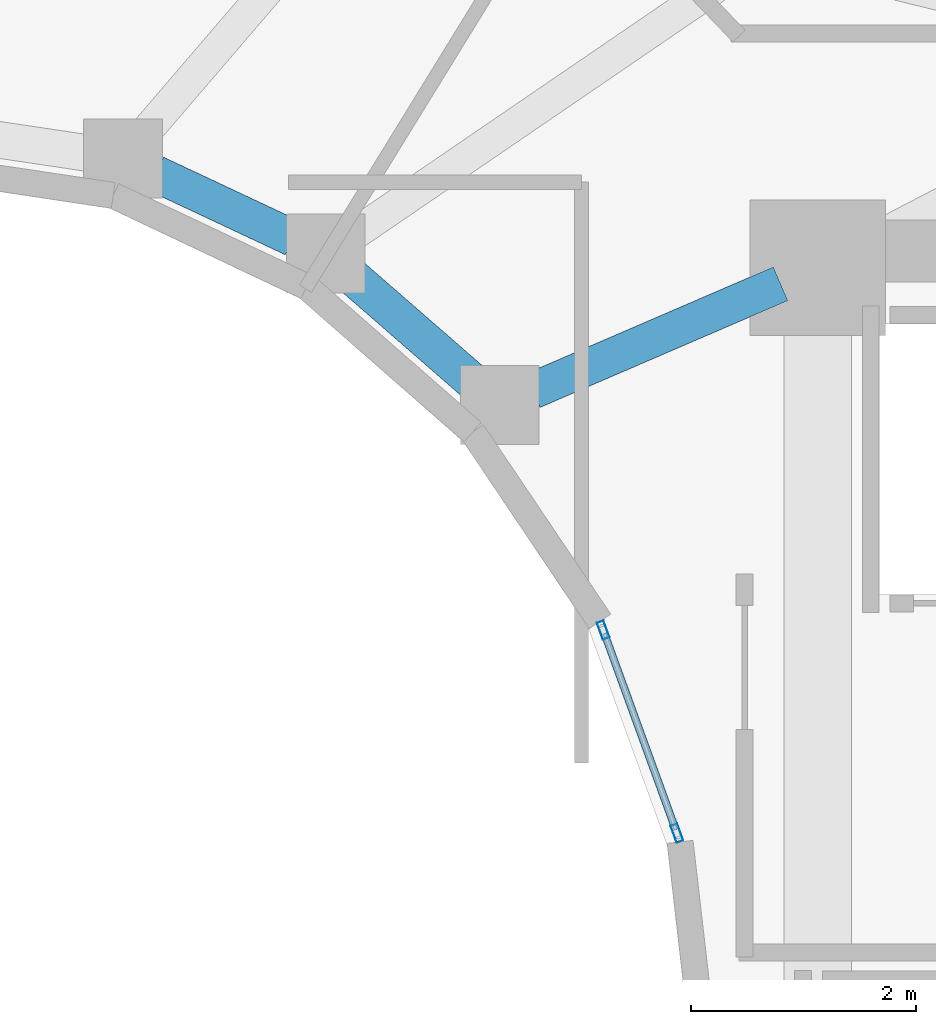
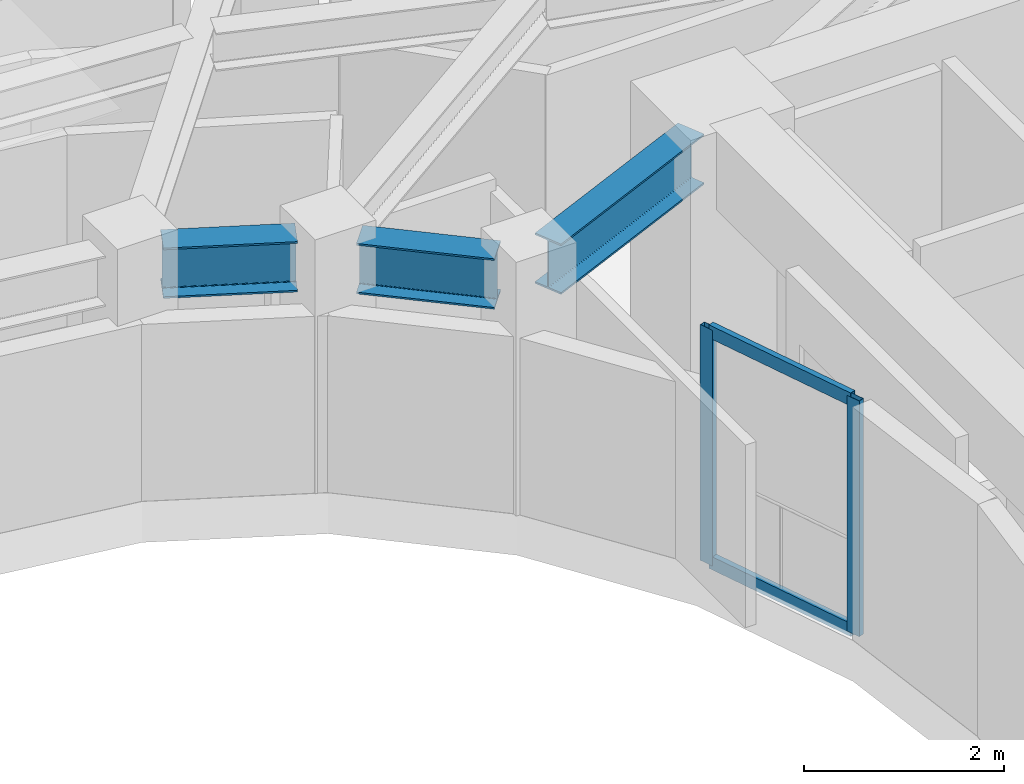
# One storey, part 7 of 19: 4 members, 3 beams, 1 element without a shape of its own.
"""IFC4 building model written with IfcOpenShell, lengths in metres."""

from ifc_helpers import new_model, si_unit, direction, frame, origin, origin_2d, place, context, subcontext, project, spatial, hollow_rectangle, i_section, extrude, material, layer, layer_set, material_profile, profile_set, type_object, element, aggregate, save


model = new_model("IFC4")

# Units and contexts
model_context = context("Model", 3, precision=1e-05, world=origin(), true_north=direction((0.0, 1.0)))
body_context = subcontext(model_context, "Body", "Model", "MODEL_VIEW")
ifc_project = project(units=[si_unit("LENGTHUNIT", "METRE"), si_unit("AREAUNIT", "SQUARE_METRE"), si_unit("VOLUMEUNIT", "CUBIC_METRE"), si_unit("PLANEANGLEUNIT", "RADIAN"), si_unit("MASSUNIT", "GRAM", prefix="KILO")], contexts=[model_context])

# Site, building, storey
site_placement = place(None, origin())
site = spatial("IfcSite", under=ifc_project, at=site_placement, CompositionType="ELEMENT")
building_placement = place(site_placement, origin())
building = spatial("IfcBuilding", under=site, at=building_placement, Name="Solvane Sanctuary Tower", CompositionType="ELEMENT")
storey_placement = place(building_placement, frame((0.0, 0.0, 201.60009765625)))
storey = spatial("IfcBuildingStorey", under=building, at=storey_placement, Name="L61", CompositionType="ELEMENT", Elevation=201.60009765625)

# Beams
ifc_material_1 = material(Name="Steel ASTM A992 Grade 50", Category="steel")
ifc_material_profile_1 = material_profile(ifc_material_1, i_section(OverallWidth=0.324951171875, OverallDepth=0.615966796875, WebThickness=0.013916015625, FlangeThickness=0.021484375, FilletRadius=0.01611328125, at=origin_2d()), Name="W24X117")
ifc_profile_set_1 = profile_set([ifc_material_profile_1], Name="Steel ASTM A992 Grade 50")
beam_type = type_object("IfcBeamType", Name="Beam B-RING-IN2 W24X117", PredefinedType="BEAM", material=ifc_profile_set_1)
beam_1_placement = place(storey_placement, frame((34.220458984375, 31.03564453125, 2.56982421875), z_axis=(0.905134542189, -0.425125229241, 0.0), x_axis=(0.425125229241, 0.905134542189, 0.0)))
element("IfcBeam", 1, at=beam_1_placement, inside=storey, type_object=beam_type, Name="L61 Inner Light-Well Ring Beam IC03-IC02", PredefinedType="BEAM", context=body_context, shape_type="SweptSolid", body=[
    extrude(i_section(OverallWidth=0.324951171875, OverallDepth=0.615966796875, WebThickness=0.013916015625, FlangeThickness=0.021484375, FilletRadius=0.01611328125, at=origin_2d()), origin(), (0.0, 0.0, 1.0), 1.347900390625),
])
beam_2_placement = place(storey_placement, frame((35.971435546875, 30.116455078125, 2.56982421875), z_axis=(0.754388985763, -0.656427648839, 0.0), x_axis=(0.656427648839, 0.754388985763, 0.0)))
element("IfcBeam", 2, at=beam_2_placement, inside=storey, type_object=beam_type, Name="L61 Inner Light-Well Ring Beam IC02-IC01", PredefinedType="BEAM", context=body_context, shape_type="SweptSolid", body=[
    extrude(i_section(OverallWidth=0.324951171875, OverallDepth=0.615966796875, WebThickness=0.013916015625, FlangeThickness=0.021484375, FilletRadius=0.01611328125, at=origin_2d()), origin(), (0.0, 0.0, 1.0), 1.408203125),
])
beam_3_placement = place(storey_placement, frame((37.56884765625, 29.10888671875, 2.56982421875), z_axis=(0.918283854026, 0.395922673554, 0.0), x_axis=(-0.395922673554, 0.918283854026, 0.0)))
element("IfcBeam", 3, at=beam_3_placement, inside=storey, type_object=beam_type, Name="L61 Inner Light-Well Ring Beam IC01-CE4", PredefinedType="BEAM", context=body_context, shape_type="SweptSolid", body=[
    extrude(i_section(OverallWidth=0.324951171875, OverallDepth=0.615966796875, WebThickness=0.013916015625, FlangeThickness=0.021484375, FilletRadius=0.01611328125, at=origin_2d()), origin(), (0.0, 0.0, 1.0), 2.396240234375),
])

# Curtain wall, members
ifc_material_2 = material(Name="Anodised Aluminium 6063-T6", Category="aluminium")
ifc_layer = layer(ifc_material_2, 0.199951171875, Name="Anodised Aluminium 6063-T6")
ifc_layer_set = layer_set([ifc_layer], Name="Anodised Aluminium 6063-T6")
curtain_wall_type = type_object("IfcCurtainWallType", Name="Curtain Wall CW-WELL", PredefinedType="NOTDEFINED", material=ifc_layer_set)
curtain_wall_placement = place(storey_placement, origin())
curtain_wall = element("IfcCurtainWall", 4, at=curtain_wall_placement, inside=storey, type_object=curtain_wall_type, Name="L61 Light-Well Glazed Curtain Wall 01", PredefinedType="NOTDEFINED")
ifc_material_profile_2 = material_profile(ifc_material_2, hollow_rectangle(XDim=0.06494140625, YDim=0.159912109375, WallThickness=0.00341796875, at=origin_2d()), Name="ALU160X65X3.5")
ifc_profile_set_2 = profile_set([ifc_material_profile_2], Name="Anodised Aluminium 6063-T6")
member_type_1 = type_object("IfcMemberType", Name="Member M-CW-MUL-2 ALU160X65X3.5", PredefinedType="MULLION", material=ifc_profile_set_2)
member_1_placement = place(storey_placement, frame((38.84912109375, 25.17919921875, 0.0), z_axis=(0.0, 0.0, 1.0), x_axis=(-0.939933181429, -0.341358483781, 0.0)))
member_1 = element("IfcMember", 5, at=member_1_placement, type_object=member_type_1, Name="CW-WELL mullion 1", PredefinedType="MULLION", context=body_context, shape_type="SweptSolid", body=[
    extrude(hollow_rectangle(XDim=0.06494140625, YDim=0.159912109375, WallThickness=0.00341796875, at=origin_2d()), origin(), (0.0, 0.0, 1.0), 2.8798828125),
])
member_2_placement = place(storey_placement, frame((38.1943359375, 26.982421875, 0.0), z_axis=(0.0, 0.0, 1.0), x_axis=(-0.939933181429, -0.341358483781, 0.0)))
member_2 = element("IfcMember", 6, at=member_2_placement, type_object=member_type_1, Name="CW-WELL mullion 2", PredefinedType="MULLION", context=body_context, shape_type="SweptSolid", body=[
    extrude(hollow_rectangle(XDim=0.06494140625, YDim=0.159912109375, WallThickness=0.00341796875, at=origin_2d()), origin(), (0.0, 0.0, 1.0), 2.8798828125),
])
ifc_material_profile_3 = material_profile(ifc_material_2, hollow_rectangle(XDim=0.06494140625, YDim=0.159912109375, WallThickness=0.00341796875, at=origin_2d()), Name="ALU160X65X3.5")
ifc_profile_set_3 = profile_set([ifc_material_profile_3], Name="Anodised Aluminium 6063-T6")
member_type_2 = type_object("IfcMemberType", Name="Member M-CW-TRN-1 ALU160X65X3.5", PredefinedType="USERDEFINED", material=ifc_profile_set_3)
member_3_placement = place(storey_placement, frame((38.838134765625, 25.209716796875, 0.032470703125), z_axis=(-0.341404620561, 0.939916424508, 0.0), x_axis=(-0.939916424508, -0.341404620561, 0.0)))
member_3 = element("IfcMember", 7, at=member_3_placement, type_object=member_type_2, Name="CW-WELL transom 1.1", ObjectType="TRANSOM", PredefinedType="USERDEFINED", context=body_context, shape_type="SweptSolid", body=[
    extrude(hollow_rectangle(XDim=0.06494140625, YDim=0.159912109375, WallThickness=0.00341796875, at=origin_2d()), origin(), (0.0, 0.0, 1.0), 1.853515625),
])
member_4_placement = place(storey_placement, frame((38.838134765625, 25.209716796875, 2.847412109375), z_axis=(-0.341404620561, 0.939916424508, 0.0), x_axis=(-0.939916424508, -0.341404620561, 0.0)))
member_4 = element("IfcMember", 8, at=member_4_placement, type_object=member_type_2, Name="CW-WELL transom 1.2", ObjectType="TRANSOM", PredefinedType="USERDEFINED", context=body_context, shape_type="SweptSolid", body=[
    extrude(hollow_rectangle(XDim=0.06494140625, YDim=0.159912109375, WallThickness=0.00341796875, at=origin_2d()), origin(), (0.0, 0.0, 1.0), 1.853515625),
])
aggregate(curtain_wall, [member_1, member_2, member_3, member_4])

save(model, "model.ifc")
